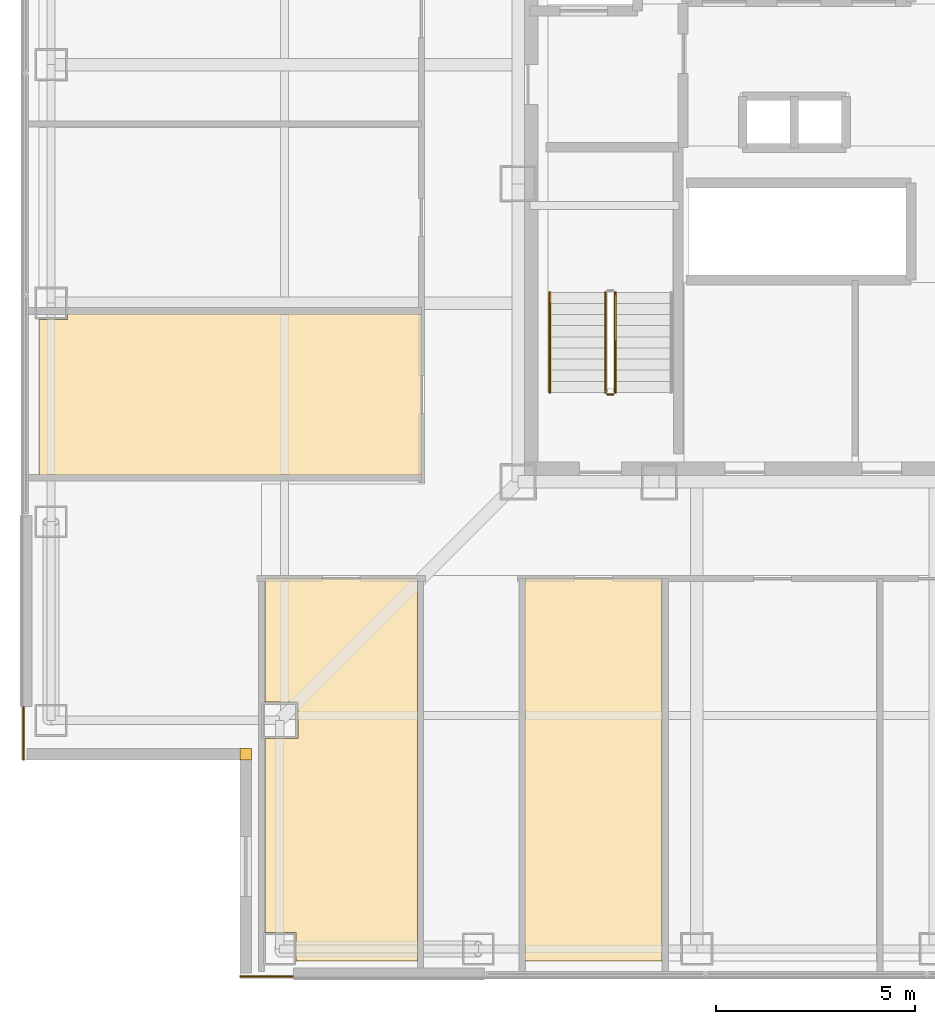
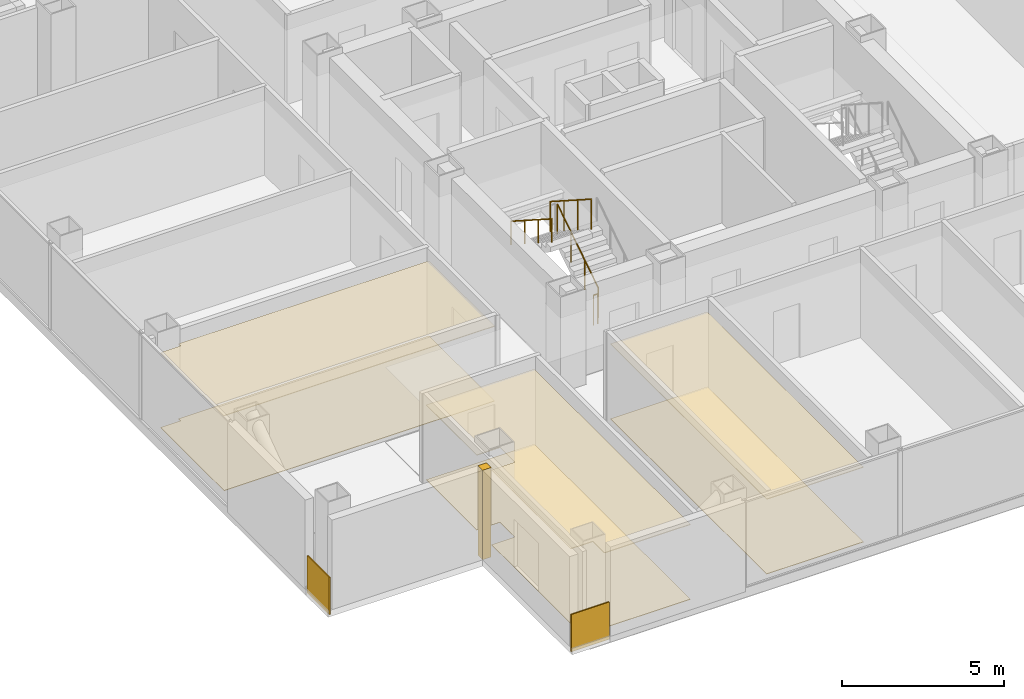
# One storey, part 12 of 17: 9 coverings, 4 railings.
"""IFC4 building model written with IfcOpenShell, lengths in metres."""

from ifc_helpers import new_model, si_unit, direction, frame, frame_2d, origin, origin_2d, place, context, subcontext, project, spatial, polyline, rectangle, circle, outline, extrude, material, layer, layer_set, type_object, element, save


model = new_model("IFC4")

# Units and contexts
model_context = context("Model", 3, precision=1e-05, world=origin(), true_north=direction((0.0, 1.0)))
body_context = subcontext(model_context, "Body", "Model", "MODEL_VIEW")
ifc_project = project(units=[si_unit("LENGTHUNIT", "METRE"), si_unit("AREAUNIT", "SQUARE_METRE"), si_unit("VOLUMEUNIT", "CUBIC_METRE"), si_unit("PLANEANGLEUNIT", "RADIAN"), si_unit("MASSUNIT", "GRAM", prefix="KILO")], contexts=[model_context])

# Site, building, storey
site_placement = place(None, origin())
site = spatial("IfcSite", under=ifc_project, at=site_placement, CompositionType="ELEMENT")
building_placement = place(site_placement, origin())
building = spatial("IfcBuilding", under=site, at=building_placement, Name="Trevonay Congress Spire", CompositionType="ELEMENT")
storey_placement = place(building_placement, frame((0.0, 0.0, 169.800048828125)))
storey = spatial("IfcBuildingStorey", under=building, at=storey_placement, Name="L43", CompositionType="ELEMENT", Elevation=169.800048828125)

# Coverings
ifc_material_1 = material(Name="Acoustic Mineral Fibre Board", Category="gypsum")
ifc_layer_1 = layer(ifc_material_1, 0.02490234375, Name="Acoustic Mineral Fibre Board")
ifc_layer_set_1 = layer_set([ifc_layer_1], Name="Acoustic Mineral Fibre Board")
covering_type_1 = type_object("IfcCoveringType", Name="COV-CEIL-ACOUSTIC", PredefinedType="CEILING", material=ifc_layer_set_1)
covering_1_placement = place(storey_placement, frame((0.0, 0.0, 2.81005859375)))
element("IfcCovering", 1, at=covering_1_placement, inside=storey, type_object=covering_type_1, Name="L43 Senior Partner Corner Office acoustic suspended ceiling", PredefinedType="CEILING", context=body_context, shape_type="SweptSolid", body=[
    extrude(outline(polyline([(-13.8701171875, -9.929931640625), (-10.030029296875, -9.929931640625), (-10.030029296875, -19.550048828125), (-13.090087890625, -19.550048828125), (-13.090087890625, -18.840087890625), (-13.8701171875, -18.840087890625), (-13.8701171875, -13.9599609375), (-13.0400390625, -13.9599609375), (-13.0400390625, -13.0400390625), (-13.8701171875, -13.0400390625), (-13.8701171875, -9.929931640625)])), origin(), (0.0, 0.0, 1.0), 0.02490234375),
])
covering_2_placement = place(storey_placement, frame((0.0, 0.0, 2.81005859375)))
element("IfcCovering", 2, at=covering_2_placement, inside=storey, type_object=covering_type_1, Name="L43 Admiralty Law Office 1 acoustic suspended ceiling", PredefinedType="CEILING", context=body_context, shape_type="SweptSolid", body=[
    extrude(outline(polyline([(-7.320068359375, -19.550048828125), (-3.8798828125, -19.550048828125), (-3.8798828125, -9.929931640625), (-7.320068359375, -9.929931640625), (-7.320068359375, -19.550048828125)])), origin(), (0.0, 0.0, 1.0), 0.02490234375),
])
covering_3_placement = place(storey_placement, frame((0.0, 0.0, 2.81005859375)))
element("IfcCovering", 3, at=covering_3_placement, inside=storey, type_object=covering_type_1, Name="L43 Charterparty Office 5 acoustic suspended ceiling", PredefinedType="CEILING", context=body_context, shape_type="SweptSolid", body=[
    extrude(outline(polyline([(-9.929931640625, -3.280029296875), (-9.929931640625, -7.320068359375), (-19.550048828125, -7.320068359375), (-19.550048828125, -3.409912109375), (-18.840087890625, -3.409912109375), (-18.840087890625, -3.280029296875), (-9.929931640625, -3.280029296875)])), origin(), (0.0, 0.0, 1.0), 0.02490234375),
])
ifc_material_2 = material(Name="Engineered Oak Flooring", Category="wood")
ifc_layer_2 = layer(ifc_material_2, 0.01806640625, Name="Engineered Oak Flooring")
ifc_layer_set_2 = layer_set([ifc_layer_2], Name="Engineered Oak Flooring")
covering_type_2 = type_object("IfcCoveringType", Name="COV-FLOOR-TIMBER", PredefinedType="FLOORING", material=ifc_layer_set_2)
covering_4_placement = place(storey_placement, origin())
element("IfcCovering", 4, at=covering_4_placement, inside=storey, type_object=covering_type_2, Name="L43 Senior Partner Corner Office floor finish", PredefinedType="FLOORING", context=body_context, shape_type="SweptSolid", body=[
    extrude(outline(polyline([(-13.8701171875, -9.929931640625), (-10.030029296875, -9.929931640625), (-10.030029296875, -19.550048828125), (-13.090087890625, -19.550048828125), (-13.090087890625, -18.840087890625), (-13.8701171875, -18.840087890625), (-13.8701171875, -13.9599609375), (-13.0400390625, -13.9599609375), (-13.0400390625, -13.0400390625), (-13.8701171875, -13.0400390625), (-13.8701171875, -9.929931640625)])), origin(), (0.0, 0.0, 1.0), 0.01806640625),
])
covering_5_placement = place(storey_placement, origin())
element("IfcCovering", 5, at=covering_5_placement, inside=storey, type_object=covering_type_2, Name="L43 Admiralty Law Office 1 floor finish", PredefinedType="FLOORING", context=body_context, shape_type="SweptSolid", body=[
    extrude(outline(polyline([(-7.320068359375, -19.550048828125), (-3.8798828125, -19.550048828125), (-3.8798828125, -9.929931640625), (-7.320068359375, -9.929931640625), (-7.320068359375, -19.550048828125)])), origin(), (0.0, 0.0, 1.0), 0.01806640625),
])
covering_6_placement = place(storey_placement, origin())
element("IfcCovering", 6, at=covering_6_placement, inside=storey, type_object=covering_type_2, Name="L43 Charterparty Office 5 floor finish", PredefinedType="FLOORING", context=body_context, shape_type="SweptSolid", body=[
    extrude(outline(polyline([(-9.929931640625, -3.280029296875), (-9.929931640625, -7.320068359375), (-19.550048828125, -7.320068359375), (-19.550048828125, -3.409912109375), (-18.840087890625, -3.409912109375), (-18.840087890625, -3.280029296875), (-9.929931640625, -3.280029296875)])), origin(), (0.0, 0.0, 1.0), 0.01806640625),
])
ifc_material_3 = material(Name="Pale Anodised Aluminium EN AW-6063-T6", Category="aluminium")
ifc_layer_3 = layer(ifc_material_3, 0.0400390625, Name="Pale Anodised Aluminium EN AW-6063-T6")
ifc_layer_set_3 = layer_set([ifc_layer_3], Name="Pale Anodised Aluminium EN AW-6063-T6")
covering_type_3 = type_object("IfcCoveringType", Name="COV-SPANDREL-PALE-METAL", PredefinedType="CLADDING", material=ifc_layer_set_3)
covering_7_placement = place(storey_placement, origin())
element("IfcCovering", 7, at=covering_7_placement, inside=storey, type_object=covering_type_3, Name="L43 SW re-entrant notch corner closure trim", PredefinedType="CLADDING", context=body_context, shape_type="SweptSolid", body=[
    extrude(outline(polyline([(-14.5, -14.5), (-14.199951171875, -14.5), (-14.199951171875, -14.199951171875), (-14.5, -14.199951171875), (-14.5, -14.5)])), origin(), (0.0, 0.0, 1.0), 3.35986328125),
])
for number, where, z_axis, x_axis, name in (
    (8, (-19.93994140625, -13.14990234375, -0.150146484375), (0.0, 0.0, 1.0), (0.0, -1.0, 0.0), "L43 SW corner pier spandrel cladding 1"),
    (9, (-13.14990234375, -19.93994140625, -0.150146484375), (0.0, 0.0, 1.0), (-1.0, 0.0, 0.0), "L43 SW corner pier spandrel cladding 2"),
):
    element("IfcCovering", number, at=place(storey_placement, frame(where, z_axis=z_axis, x_axis=x_axis)), inside=storey, type_object=covering_type_3, Name=name, PredefinedType="CLADDING", context=body_context, shape_type="SweptSolid", body=[
        extrude(rectangle(XDim=1.35009765625, YDim=0.0400390625, at=frame_2d((0.675048828125, 0.0))), origin(), (0.0, 0.0, 1.0), 1.400146484375),
    ])

# Railings
railing_type_1 = type_object("IfcRailingType", Name="RAL-STAIR-GUARD-110", PredefinedType="GUARDRAIL", material=ifc_material_3)
railing_1_placement = place(storey_placement, frame((-5.050048828125, -5.25, 0.179931640625)))
element("IfcRailing", 10, at=railing_1_placement, inside=storey, type_object=railing_type_1, Name="L43 ST-1 stair guard 1", PredefinedType="GUARDRAIL", context=body_context, shape_type="SweptSolid", body=[
    extrude(circle(Radius=0.02392578125, at=origin_2d()), frame((0.0, 0.0, 1.1259765625), z_axis=(0.0, 0.841162588446, 0.540782303519), x_axis=(-1.0, 0.0, 0.0)), (0.0, 0.0, 1.0), 2.995849609375),
    extrude(circle(Radius=0.02099609375, at=origin_2d()), origin(), (0.0, 0.0, 1.0), 1.101806640625),
    extrude(circle(Radius=0.02099609375, at=origin_2d()), frame((0.0, 0.840087890625, 0.5400390625)), (0.0, 0.0, 1.0), 1.101806640625),
    extrude(circle(Radius=0.02099609375, at=origin_2d()), frame((0.0, 1.679931640625, 1.080078125)), (0.0, 0.0, 1.0), 1.101806640625),
    extrude(circle(Radius=0.02099609375, at=origin_2d()), frame((0.0, 2.52001953125, 1.6201171875)), (0.0, 0.0, 1.0), 1.101806640625),
])
railing_2_placement = place(storey_placement, frame((-5.300048828125, -2.72998046875, 1.97998046875)))
element("IfcRailing", 11, at=railing_2_placement, inside=storey, type_object=railing_type_1, Name="L43 ST-1 stair guard 3", PredefinedType="GUARDRAIL", context=body_context, shape_type="SweptSolid", body=[
    extrude(circle(Radius=0.02392578125, at=origin_2d()), frame((0.0, 0.0, 1.1259765625), z_axis=(0.0, -0.841199657755, 0.540724639528), x_axis=(1.0, 0.0, 0.0)), (0.0, 0.0, 1.0), 2.995849609375),
    extrude(circle(Radius=0.02099609375, at=origin_2d()), origin(), (0.0, 0.0, 1.0), 1.101806640625),
    extrude(circle(Radius=0.02099609375, at=origin_2d()), frame((0.0, -0.840087890625, 0.5400390625)), (0.0, 0.0, 1.0), 1.101806640625),
    extrude(circle(Radius=0.02099609375, at=origin_2d()), frame((0.0, -1.679931640625, 1.079833984375)), (0.0, 0.0, 1.0), 1.101806640625),
    extrude(circle(Radius=0.02099609375, at=origin_2d()), frame((0.0, -2.52001953125, 1.619873046875)), (0.0, 0.0, 1.0), 1.101806640625),
])
railing_3_placement = place(storey_placement, frame((-5.10009765625, -5.300048828125, 0.0)))
element("IfcRailing", 12, at=railing_3_placement, inside=storey, type_object=railing_type_1, Name="L43 ST-1 stair guard 4", PredefinedType="GUARDRAIL", context=body_context, shape_type="SweptSolid", body=[
    extrude(circle(Radius=0.02392578125, at=origin_2d()), frame((0.0, 0.0, 1.1259765625), z_axis=(-1.0, 0.0, 0.0), x_axis=(0.0, -1.0, 0.0)), (0.0, 0.0, 1.0), 0.14990234375),
    extrude(circle(Radius=0.02099609375, at=origin_2d()), origin(), (0.0, 0.0, 1.0), 1.101806640625),
    extrude(circle(Radius=0.02099609375, at=origin_2d()), frame((-0.14990234375, 0.0, 0.0)), (0.0, 0.0, 1.0), 1.101806640625),
])
railing_type_2 = type_object("IfcRailingType", Name="RAL-STAIR-HANDRAIL", PredefinedType="HANDRAIL", material=ifc_material_3)
railing_4_placement = place(storey_placement, frame((-6.699951171875, -2.72998046875, 1.97998046875)))
element("IfcRailing", 13, at=railing_4_placement, inside=storey, type_object=railing_type_2, Name="L43 ST-1 stair handrail 2", PredefinedType="HANDRAIL", context=body_context, shape_type="SweptSolid", body=[
    extrude(circle(Radius=0.02392578125, at=origin_2d()), frame((0.0, 0.0, 0.8759765625), z_axis=(0.0, -0.841199657755, 0.540724639528), x_axis=(1.0, 0.0, 0.0)), (0.0, 0.0, 1.0), 2.995849609375),
    extrude(circle(Radius=0.02099609375, at=origin_2d()), origin(), (0.0, 0.0, 1.0), 0.851806640625),
    extrude(circle(Radius=0.02099609375, at=origin_2d()), frame((0.0, -0.840087890625, 0.5400390625)), (0.0, 0.0, 1.0), 0.851806640625),
    extrude(circle(Radius=0.02099609375, at=origin_2d()), frame((0.0, -1.679931640625, 1.079833984375)), (0.0, 0.0, 1.0), 0.851806640625),
    extrude(circle(Radius=0.02099609375, at=origin_2d()), frame((0.0, -2.52001953125, 1.619873046875)), (0.0, 0.0, 1.0), 0.851806640625),
])

save(model, "model.ifc")
